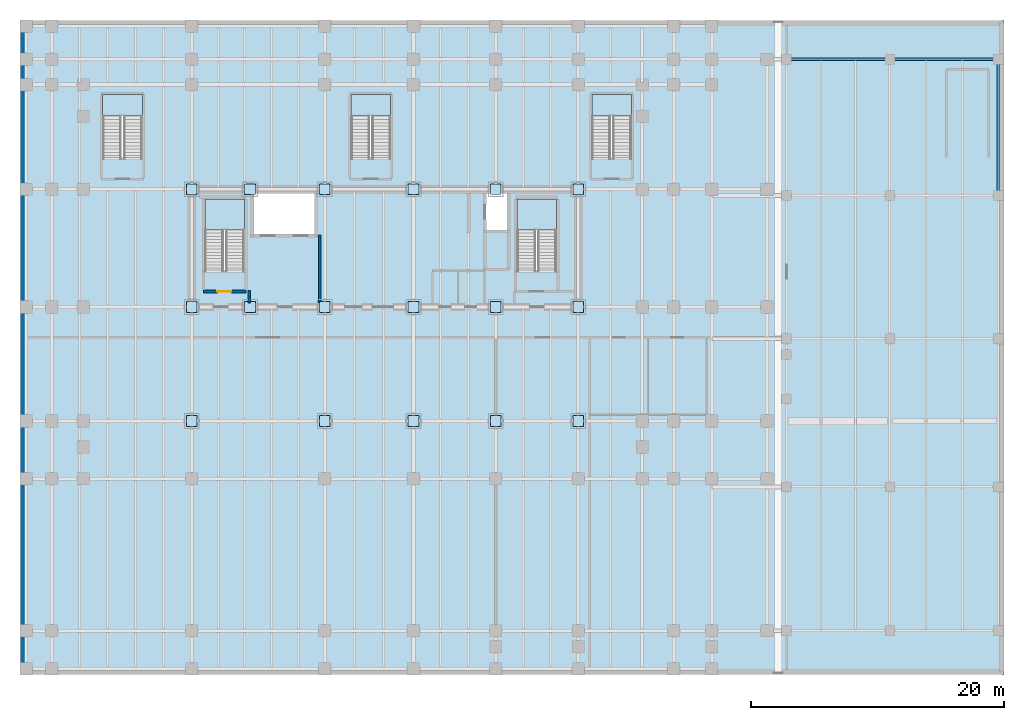
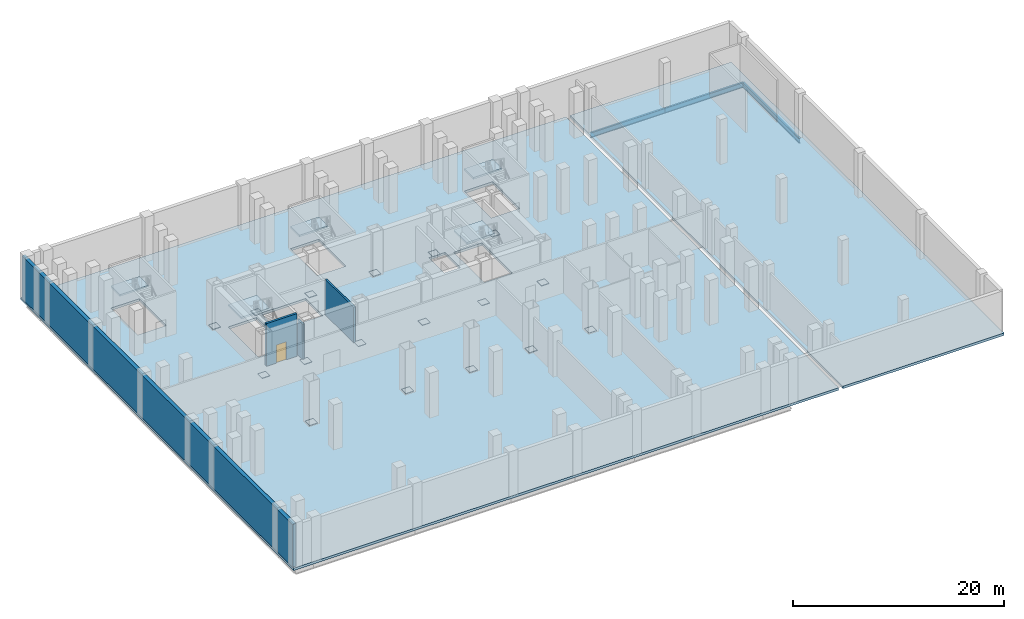
# One storey, part 7 of 15: 17 plates, 7 slabs, 4 walls, 3 beams, 1 door, 8 openings, 5 elements without a shape of their own.
"""IFC4 building model written with IfcOpenShell, lengths in metres."""

from ifc_helpers import new_model, si_unit, direction, frame, frame_2d, origin, origin_2d, place, context, subcontext, project, spatial, polyline, rectangle, i_section, outline, extrude, material, layer, layer_set, material_profile, profile_set, type_object, element, fill, aggregate, save


model = new_model("IFC4")

# Units and contexts
model_context = context("Model", 3, precision=1e-05, world=origin(), true_north=direction((0.0, 1.0)))
body_context = subcontext(model_context, "Body", "Model", "MODEL_VIEW")
ifc_project = project(units=[si_unit("LENGTHUNIT", "METRE"), si_unit("AREAUNIT", "SQUARE_METRE"), si_unit("VOLUMEUNIT", "CUBIC_METRE"), si_unit("PLANEANGLEUNIT", "RADIAN"), si_unit("MASSUNIT", "GRAM", prefix="KILO")], contexts=[model_context])

# Site, building, storey
site_placement = place(None, origin())
site = spatial("IfcSite", under=ifc_project, at=site_placement, CompositionType="ELEMENT")
building_placement = place(site_placement, origin())
building = spatial("IfcBuilding", under=site, at=building_placement, Name="Noeulbin Bourse Tower", CompositionType="ELEMENT")
storey_placement = place(building_placement, frame((0.0, 0.0, -10.199951171875)))
storey = spatial("IfcBuildingStorey", under=building, at=storey_placement, Name="B02", CompositionType="ELEMENT", Elevation=-10.199951171875)

# Beams
ifc_material_1 = material(Name="Steel S355", Category="steel")
ifc_material_profile = material_profile(ifc_material_1, i_section(OverallWidth=0.199951171875, OverallDepth=0.60009765625, WebThickness=0.010986328125, FlangeThickness=0.01708984375, FilletRadius=0.02197265625, at=origin_2d()), Name="H-600x200x11x17", Category="LoadBearing")
ifc_profile_set = profile_set([ifc_material_profile], Name="Steel S355")
beam_type = type_object("IfcBeamType", Name="BM-GRD-600", PredefinedType="USERDEFINED", material=ifc_profile_set)
beam_1_placement = place(storey_placement, frame((60.449951171875, 48.550048828125, -0.580078125), z_axis=(1.0, 0.0, 0.0), x_axis=(0.0, 1.0, 0.0)))
element("IfcBeam", 1, at=beam_1_placement, inside=storey, type_object=beam_type, Name="Market Hall Girder EW B02-09", ObjectType="GIRDER", PredefinedType="USERDEFINED", context=body_context, shape_type="SweptSolid", body=[
    extrude(i_section(OverallWidth=0.199951171875, OverallDepth=0.60009765625, WebThickness=0.010986328125, FlangeThickness=0.01708984375, FilletRadius=0.02197265625, at=origin_2d()), origin(), (0.0, 0.0, 1.0), 8.150146484375),
])
beam_2_placement = place(storey_placement, frame((68.60009765625, 48.550048828125, -0.580078125), z_axis=(1.0, 0.0, 0.0), x_axis=(0.0, 1.0, 0.0)))
element("IfcBeam", 2, at=beam_2_placement, inside=storey, type_object=beam_type, Name="Market Hall Girder EW B02-10", ObjectType="GIRDER", PredefinedType="USERDEFINED", context=body_context, shape_type="SweptSolid", body=[
    extrude(i_section(OverallWidth=0.199951171875, OverallDepth=0.60009765625, WebThickness=0.010986328125, FlangeThickness=0.01708984375, FilletRadius=0.02197265625, at=origin_2d()), origin(), (0.0, 0.0, 1.0), 8.5498046875),
])
beam_3_placement = place(storey_placement, frame((77.14990234375, 37.800048828125, -0.580078125), z_axis=(0.0, 1.0, 0.0), x_axis=(-1.0, 0.0, 0.0)))
element("IfcBeam", 3, at=beam_3_placement, inside=storey, type_object=beam_type, Name="Market Hall Girder NS B02-22", ObjectType="GIRDER", PredefinedType="USERDEFINED", context=body_context, shape_type="SweptSolid", body=[
    extrude(i_section(OverallWidth=0.199951171875, OverallDepth=0.60009765625, WebThickness=0.010986328125, FlangeThickness=0.01708984375, FilletRadius=0.02197265625, at=origin_2d()), origin(), (0.0, 0.0, 1.0), 10.75),
])

# Plates
ifc_layer_1 = layer(ifc_material_1, 0.030029296875)
ifc_layer_set_1 = layer_set([ifc_layer_1], Name="Steel S355")
plate_type = type_object("IfcPlateType", Name="PLT-BN1", PredefinedType="USERDEFINED", material=ifc_layer_set_1)
for number, where, z_axis, x_axis, name in (
    (4, (13.5, 29.0, 0.0048828125), (0.0, 0.0, 1.0), (1.0, 0.0, 0.0), "Mega-Column Splice Plate BN1-B02-01"),
    (5, (13.5, 38.300048828125, 0.0048828125), (0.0, 0.0, 1.0), (1.0, 0.0, 0.0), "Mega-Column Splice Plate BN1-B02-02"),
    (6, (18.10009765625, 29.0, 0.0048828125), (0.0, 0.0, 1.0), (1.0, 0.0, 0.0), "Mega-Column Splice Plate BN1-B02-03"),
    (7, (18.10009765625, 38.300048828125, 0.0048828125), (0.0, 0.0, 1.0), (1.0, 0.0, 0.0), "Mega-Column Splice Plate BN1-B02-04"),
    (8, (24.0, 29.0, 0.0048828125), (0.0, 0.0, 1.0), (1.0, 0.0, 0.0), "Mega-Column Splice Plate BN1-B02-05"),
    (9, (24.0, 38.300048828125, 0.0048828125), (0.0, 0.0, 1.0), (1.0, 0.0, 0.0), "Mega-Column Splice Plate BN1-B02-06"),
    (10, (31.0, 29.0, 0.0048828125), (0.0, 0.0, 1.0), (1.0, 0.0, 0.0), "Mega-Column Splice Plate BN1-B02-07"),
    (11, (31.0, 38.300048828125, 0.0048828125), (0.0, 0.0, 1.0), (1.0, 0.0, 0.0), "Mega-Column Splice Plate BN1-B02-08"),
    (12, (37.5, 29.0, 0.0048828125), (0.0, 0.0, 1.0), (1.0, 0.0, 0.0), "Mega-Column Splice Plate BN1-B02-09"),
    (13, (37.5, 38.300048828125, 0.0048828125), (0.0, 0.0, 1.0), (1.0, 0.0, 0.0), "Mega-Column Splice Plate BN1-B02-10"),
    (14, (44.0, 29.0, 0.0048828125), (0.0, 0.0, 1.0), (1.0, 0.0, 0.0), "Mega-Column Splice Plate BN1-B02-11"),
    (15, (44.0, 38.300048828125, 0.0048828125), (0.0, 0.0, 1.0), (1.0, 0.0, 0.0), "Mega-Column Splice Plate BN1-B02-12"),
    (16, (13.5, 20.0, 0.0048828125), (0.0, 0.0, 1.0), (1.0, 0.0, 0.0), "Mega-Column Splice Plate BN1-B02-13"),
    (17, (24.0, 20.0, 0.0048828125), (0.0, 0.0, 1.0), (1.0, 0.0, 0.0), "Mega-Column Splice Plate BN1-B02-14"),
    (18, (31.0, 20.0, 0.0048828125), (0.0, 0.0, 1.0), (1.0, 0.0, 0.0), "Mega-Column Splice Plate BN1-B02-15"),
    (19, (37.5, 20.0, 0.0048828125), (0.0, 0.0, 1.0), (1.0, 0.0, 0.0), "Mega-Column Splice Plate BN1-B02-16"),
    (20, (44.0, 20.0, 0.0048828125), (0.0, 0.0, 1.0), (1.0, 0.0, 0.0), "Mega-Column Splice Plate BN1-B02-17"),
):
    element("IfcPlate", number, at=place(storey_placement, frame(where, z_axis=z_axis, x_axis=x_axis)), inside=storey, type_object=plate_type, Name=name, ObjectType="SPLICE PLATE", PredefinedType="USERDEFINED", context=body_context, shape_type="SweptSolid", body=[
        extrude(rectangle(XDim=0.85009765625, YDim=0.85009765625, at=origin_2d()), origin(), (0.0, 0.0, 1.0), 0.030029296875),
    ])

# Stair, slab
ifc_material_2 = material(Name="Concrete C40/50", Category="concrete")
stair_type_1 = type_object("IfcStairType", Name="STR-CORE-1560", PredefinedType="HALF_TURN_STAIR", material=ifc_material_2)
stair_1_placement = place(storey_placement, origin())
stair_1 = element("IfcStair", 21, at=stair_1_placement, inside=storey, type_object=stair_type_1, Name="B02 ST-1", PredefinedType="HALF_TURN_STAIR")
ifc_layer_2 = layer(ifc_material_2, 0.199951171875)
ifc_layer_set_2 = layer_set([ifc_layer_2], Name="Concrete C40/50")
slab_type_1 = type_object("IfcSlabType", Name="SLB-LND-200", PredefinedType="LANDING", material=ifc_layer_set_2)
slab_1_placement = place(storey_placement, frame((0.0, 0.0, 2.39990234375)))
slab_1 = element("IfcSlab", 22, at=slab_1_placement, type_object=slab_type_1, Name="ST-1 landing 1", PredefinedType="LANDING", context=body_context, shape_type="SweptSolid", body=[
    extrude(outline(polyline([(17.64990234375, 35.0859375), (17.64990234375, 37.5439453125), (14.550048828125, 37.5439453125), (14.550048828125, 35.0859375), (17.64990234375, 35.0859375)])), origin(), (0.0, 0.0, 1.0), 0.199951171875),
])
aggregate(stair_1, [slab_1])

stair_2_placement = place(storey_placement, origin())
stair_2 = element("IfcStair", 23, at=stair_2_placement, inside=storey, type_object=stair_type_1, Name="B02 ST-2", PredefinedType="HALF_TURN_STAIR")
slab_2_placement = place(storey_placement, frame((0.0, 0.0, 2.39990234375)))
slab_2 = element("IfcSlab", 24, at=slab_2_placement, type_object=slab_type_1, Name="ST-2 landing 1", PredefinedType="LANDING", context=body_context, shape_type="SweptSolid", body=[
    extrude(outline(polyline([(42.280029296875, 35.0859375), (42.280029296875, 37.5439453125), (39.179931640625, 37.5439453125), (39.179931640625, 35.0859375), (42.280029296875, 35.0859375)])), origin(), (0.0, 0.0, 1.0), 0.199951171875),
])
aggregate(stair_2, [slab_2])

stair_type_2 = type_object("IfcStairType", Name="STR-AUX-1620", PredefinedType="HALF_TURN_STAIR", material=ifc_material_2)
stair_3_placement = place(storey_placement, origin())
stair_3 = element("IfcStair", 25, at=stair_3_placement, inside=storey, type_object=stair_type_2, Name="B02 ST-S1", PredefinedType="HALF_TURN_STAIR")
slab_3_placement = place(storey_placement, frame((0.0, 0.0, 2.39990234375)))
slab_3 = element("IfcSlab", 26, at=slab_3_placement, type_object=slab_type_1, Name="ST-S1 landing 1", PredefinedType="LANDING", context=body_context, shape_type="SweptSolid", body=[
    extrude(outline(polyline([(9.60009765625, 44.06005859375), (9.60009765625, 45.780029296875), (6.47998046875, 45.780029296875), (6.47998046875, 44.06005859375), (9.60009765625, 44.06005859375)])), origin(), (0.0, 0.0, 1.0), 0.199951171875),
])
aggregate(stair_3, [slab_3])

stair_4_placement = place(storey_placement, origin())
stair_4 = element("IfcStair", 27, at=stair_4_placement, inside=storey, type_object=stair_type_2, Name="B02 ST-S2", PredefinedType="HALF_TURN_STAIR")
slab_4_placement = place(storey_placement, frame((0.0, 0.0, 2.39990234375)))
slab_4 = element("IfcSlab", 28, at=slab_4_placement, type_object=slab_type_1, Name="ST-S2 landing 1", PredefinedType="LANDING", context=body_context, shape_type="SweptSolid", body=[
    extrude(outline(polyline([(29.199951171875, 44.06005859375), (29.199951171875, 45.780029296875), (26.080078125, 45.780029296875), (26.080078125, 44.06005859375), (29.199951171875, 44.06005859375)])), origin(), (0.0, 0.0, 1.0), 0.199951171875),
])
aggregate(stair_4, [slab_4])

stair_5_placement = place(storey_placement, origin())
stair_5 = element("IfcStair", 29, at=stair_5_placement, inside=storey, type_object=stair_type_2, Name="B02 ST-S3", PredefinedType="HALF_TURN_STAIR")
slab_5_placement = place(storey_placement, frame((0.0, 0.0, 2.39990234375)))
slab_5 = element("IfcSlab", 30, at=slab_5_placement, type_object=slab_type_1, Name="ST-S3 landing 1", PredefinedType="LANDING", context=body_context, shape_type="SweptSolid", body=[
    extrude(outline(polyline([(48.199951171875, 44.06005859375), (48.199951171875, 45.780029296875), (45.080078125, 45.780029296875), (45.080078125, 44.06005859375), (48.199951171875, 44.06005859375)])), origin(), (0.0, 0.0, 1.0), 0.199951171875),
])
aggregate(stair_5, [slab_5])

# Slab, openings
ifc_layer_3 = layer(ifc_material_2, 0.280029296875)
ifc_layer_set_3 = layer_set([ifc_layer_3], Name="Concrete C40/50")
slab_type_2 = type_object("IfcSlabType", Name="SLB-SUB-280", PredefinedType="FLOOR", material=ifc_layer_set_3)
slab_6_placement = place(storey_placement, frame((0.0, 0.0, -0.280029296875)))
slab_6 = element("IfcSlab", 31, at=slab_6_placement, inside=storey, type_object=slab_type_2, Name="Substructure West Station Slab B02", PredefinedType="FLOOR", context=body_context, shape_type="SweptSolid", body=[
    extrude(outline(polyline([(0.0, 0.0), (59.550048828125, 0.0), (59.550048828125, 51.60009765625), (0.0, 51.60009765625), (0.0, 0.0)]), holes=[polyline([(17.64990234375, 31.81005859375), (17.64990234375, 37.5439453125), (14.550048828125, 37.5439453125), (14.550048828125, 31.81005859375), (17.64990234375, 31.81005859375)]), polyline([(42.280029296875, 31.81005859375), (42.280029296875, 37.5439453125), (39.179931640625, 37.5439453125), (39.179931640625, 31.81005859375), (42.280029296875, 31.81005859375)]), polyline([(9.60009765625, 40.679931640625), (9.60009765625, 45.780029296875), (6.47998046875, 45.780029296875), (6.47998046875, 40.679931640625), (9.60009765625, 40.679931640625)]), polyline([(29.199951171875, 40.679931640625), (29.199951171875, 45.780029296875), (26.080078125, 45.780029296875), (26.080078125, 40.679931640625), (29.199951171875, 40.679931640625)]), polyline([(48.199951171875, 40.679931640625), (48.199951171875, 45.780029296875), (45.080078125, 45.780029296875), (45.080078125, 40.679931640625), (48.199951171875, 40.679931640625)]), polyline([(18.35009765625, 34.699951171875), (23.25, 34.699951171875), (23.25, 37.949951171875), (18.35009765625, 37.949951171875), (18.35009765625, 34.699951171875)]), polyline([(36.699951171875, 35.050048828125), (38.449951171875, 35.050048828125), (38.449951171875, 37.949951171875), (36.699951171875, 37.949951171875), (36.699951171875, 35.050048828125)])]), origin(), (0.0, 0.0, 1.0), 0.280029296875),
])
opening_1_placement = place(slab_6_placement, frame((0.0, 0.0, -0.010009765625)))
element("IfcOpeningElement", 32, at=opening_1_placement, cuts=slab_6, Name="Slab Shaft Opening SLB-B02-MAIN-1", PredefinedType="OPENING", context=body_context, shape_type="SweptSolid", body=[
    extrude(outline(polyline([(17.64990234375, 31.81005859375), (17.64990234375, 37.5439453125), (14.550048828125, 37.5439453125), (14.550048828125, 31.81005859375), (17.64990234375, 31.81005859375)])), origin(), (0.0, 0.0, 1.0), 0.300048828125),
])
opening_2_placement = place(slab_6_placement, frame((0.0, 0.0, -0.010009765625)))
element("IfcOpeningElement", 33, at=opening_2_placement, cuts=slab_6, Name="Slab Shaft Opening SLB-B02-MAIN-2", PredefinedType="OPENING", context=body_context, shape_type="SweptSolid", body=[
    extrude(outline(polyline([(42.280029296875, 31.81005859375), (42.280029296875, 37.5439453125), (39.179931640625, 37.5439453125), (39.179931640625, 31.81005859375), (42.280029296875, 31.81005859375)])), origin(), (0.0, 0.0, 1.0), 0.300048828125),
])
opening_3_placement = place(slab_6_placement, frame((0.0, 0.0, -0.010009765625)))
element("IfcOpeningElement", 34, at=opening_3_placement, cuts=slab_6, Name="Slab Shaft Opening SLB-B02-MAIN-3", PredefinedType="OPENING", context=body_context, shape_type="SweptSolid", body=[
    extrude(outline(polyline([(9.60009765625, 40.679931640625), (9.60009765625, 45.780029296875), (6.47998046875, 45.780029296875), (6.47998046875, 40.679931640625), (9.60009765625, 40.679931640625)])), origin(), (0.0, 0.0, 1.0), 0.300048828125),
])
opening_4_placement = place(slab_6_placement, frame((0.0, 0.0, -0.010009765625)))
element("IfcOpeningElement", 35, at=opening_4_placement, cuts=slab_6, Name="Slab Shaft Opening SLB-B02-MAIN-4", PredefinedType="OPENING", context=body_context, shape_type="SweptSolid", body=[
    extrude(outline(polyline([(29.199951171875, 40.679931640625), (29.199951171875, 45.780029296875), (26.080078125, 45.780029296875), (26.080078125, 40.679931640625), (29.199951171875, 40.679931640625)])), origin(), (0.0, 0.0, 1.0), 0.300048828125),
])
opening_5_placement = place(slab_6_placement, frame((0.0, 0.0, -0.010009765625)))
element("IfcOpeningElement", 36, at=opening_5_placement, cuts=slab_6, Name="Slab Shaft Opening SLB-B02-MAIN-5", PredefinedType="OPENING", context=body_context, shape_type="SweptSolid", body=[
    extrude(outline(polyline([(48.199951171875, 40.679931640625), (48.199951171875, 45.780029296875), (45.080078125, 45.780029296875), (45.080078125, 40.679931640625), (48.199951171875, 40.679931640625)])), origin(), (0.0, 0.0, 1.0), 0.300048828125),
])
opening_6_placement = place(slab_6_placement, frame((0.0, 0.0, -0.010009765625)))
element("IfcOpeningElement", 37, at=opening_6_placement, cuts=slab_6, Name="Slab Shaft Opening SLB-B02-MAIN-6", PredefinedType="OPENING", context=body_context, shape_type="SweptSolid", body=[
    extrude(outline(polyline([(18.35009765625, 34.699951171875), (23.25, 34.699951171875), (23.25, 37.949951171875), (18.35009765625, 37.949951171875), (18.35009765625, 34.699951171875)])), origin(), (0.0, 0.0, 1.0), 0.300048828125),
])
opening_7_placement = place(slab_6_placement, frame((0.0, 0.0, -0.010009765625)))
element("IfcOpeningElement", 38, at=opening_7_placement, cuts=slab_6, Name="Slab Shaft Opening SLB-B02-MAIN-7", PredefinedType="OPENING", context=body_context, shape_type="SweptSolid", body=[
    extrude(outline(polyline([(36.699951171875, 35.050048828125), (38.449951171875, 35.050048828125), (38.449951171875, 37.949951171875), (36.699951171875, 37.949951171875), (36.699951171875, 35.050048828125)])), origin(), (0.0, 0.0, 1.0), 0.300048828125),
])

# Slab
slab_7_placement = place(storey_placement, frame((0.0, 0.0, -0.280029296875)))
element("IfcSlab", 39, at=slab_7_placement, inside=storey, type_object=slab_type_2, Name="Substructure East Market Slab B02", PredefinedType="FLOOR", context=body_context, shape_type="SweptSolid", body=[
    extrude(outline(polyline([(60.0, 0.0), (77.60009765625, 0.0), (77.60009765625, 51.60009765625), (60.0, 51.60009765625), (60.0, 0.0)])), origin(), (0.0, 0.0, 1.0), 0.280029296875),
])

# Walls
ifc_layer_4 = layer(ifc_material_2, 0.199951171875)
ifc_layer_set_4 = layer_set([ifc_layer_4], Name="Concrete C40/50")
wall_type_1 = type_object("IfcWallType", Name="WAL-FIRE-200", PredefinedType="STANDARD", material=ifc_layer_set_4)
wall_1_placement = place(storey_placement, frame((18.050048828125, 29.3349609375, 0.0), z_axis=(0.0, 0.0, 1.0), x_axis=(0.0, 1.0, 0.0)))
element("IfcWall", 40, at=wall_1_placement, inside=storey, type_object=wall_type_1, Name="Interior Partition Wall B02-10", PredefinedType="STANDARD", context=body_context, shape_type="SweptSolid", body=[
    extrude(rectangle(XDim=0.965087890625, YDim=0.199951171875, at=frame_2d((0.482421875, 0.0))), origin(), (0.0, 0.0, 1.0), 4.099853515625),
])
wall_2_placement = place(storey_placement, frame((23.60009765625, 29.3349609375, 0.0), z_axis=(0.0, 0.0, 1.0), x_axis=(0.0, 1.0, 0.0)))
element("IfcWall", 41, at=wall_2_placement, inside=storey, type_object=wall_type_1, Name="Interior Partition Wall B02-12", PredefinedType="STANDARD", context=body_context, shape_type="SweptSolid", body=[
    extrude(rectangle(XDim=5.364990234375, YDim=0.199951171875, at=frame_2d((2.6826171875, 0.0))), origin(), (0.0, 0.0, 1.0), 4.099853515625),
])
ifc_material_3 = material(Name="Concrete C50/60", Category="concrete")
ifc_layer_5 = layer(ifc_material_3, 0.39990234375)
ifc_layer_set_5 = layer_set([ifc_layer_5], Name="Concrete C50/60")
wall_type_2 = type_object("IfcWallType", Name="WAL-RET-400", PredefinedType="SOLIDWALL", material=ifc_layer_set_5)
wall_3_placement = place(storey_placement, frame((0.199951171875, 51.39990234375, 0.0), z_axis=(0.0, 0.0, 1.0), x_axis=(0.0, -1.0, 0.0)))
element("IfcWall", 42, at=wall_3_placement, inside=storey, type_object=wall_type_2, Name="Basement Perimeter Retaining Wall B02-W", PredefinedType="SOLIDWALL", context=body_context, shape_type="SweptSolid", body=[
    extrude(rectangle(XDim=51.199951171875, YDim=0.39990234375, at=frame_2d((25.60009765625, 0.0))), origin(), (0.0, 0.0, 1.0), 4.919921875),
])

# Wall, opening, door
ifc_layer_6 = layer(ifc_material_2, 0.25)
ifc_layer_set_6 = layer_set([ifc_layer_6], Name="Concrete C40/50")
wall_type_3 = type_object("IfcWallType", Name="WAL-SHFT-250", PredefinedType="STANDARD", material=ifc_layer_set_6)
wall_4_placement = place(storey_placement, frame((14.429931640625, 30.235107421875, 0.0), z_axis=(0.0, 0.0, 1.0), x_axis=(1.0, 0.0, 0.0)))
wall_4 = element("IfcWall", 43, at=wall_4_placement, inside=storey, type_object=wall_type_3, Name="Stair ST-1 South Shaft Wall B02", PredefinedType="STANDARD", context=body_context, shape_type="SweptSolid", body=[
    extrude(rectangle(XDim=3.340087890625, YDim=0.25, at=frame_2d((1.669921875, 0.0))), origin(), (0.0, 0.0, 1.0), 4.919921875),
])
opening_8_placement = place(wall_4_placement, frame((1.10009765625, 0.0, 0.0)))
opening_8 = element("IfcOpeningElement", 44, at=opening_8_placement, cuts=wall_4, Name="Opening FD-11", PredefinedType="OPENING", context=body_context, shape_type="SweptSolid", body=[
    extrude(rectangle(XDim=1.10009765625, YDim=2.080078125, at=frame_2d((0.550048828125, 1.0400390625))), frame((0.0, 0.135009765625, 0.0), z_axis=(0.0, -1.0, 0.0), x_axis=(1.0, 0.0, 0.0)), (0.0, 0.0, 1.0), 0.27001953125),
])
ifc_material_4 = material(Name="Fire-Rated Insulated Steel", Category="steel")
door_type = type_object("IfcDoorType", Name="DR-FD60-1100", OperationType="SINGLE_SWING_LEFT", PredefinedType="DOOR", material=ifc_material_4)
door_placement = place(opening_8_placement, origin())
door = element("IfcDoor", 45, at=door_placement, inside=storey, type_object=door_type, Name="Protected Stair Entry Door ST1-B02", OperationType="SINGLE_SWING_RIGHT", OverallHeight=2.080078125, OverallWidth=1.10009765625, PredefinedType="DOOR", context=body_context, shape_type="SweptSolid", body=[
    extrude(rectangle(XDim=1.10009765625, YDim=2.080078125, at=frame_2d((0.550048828125, 1.0400390625))), frame((0.0, 0.02490234375, 0.0), z_axis=(0.0, -1.0, 0.0), x_axis=(1.0, 0.0, 0.0)), (0.0, 0.0, 1.0), 0.050048828125),
])
fill(opening_8, door)

save(model, "model.ifc")
